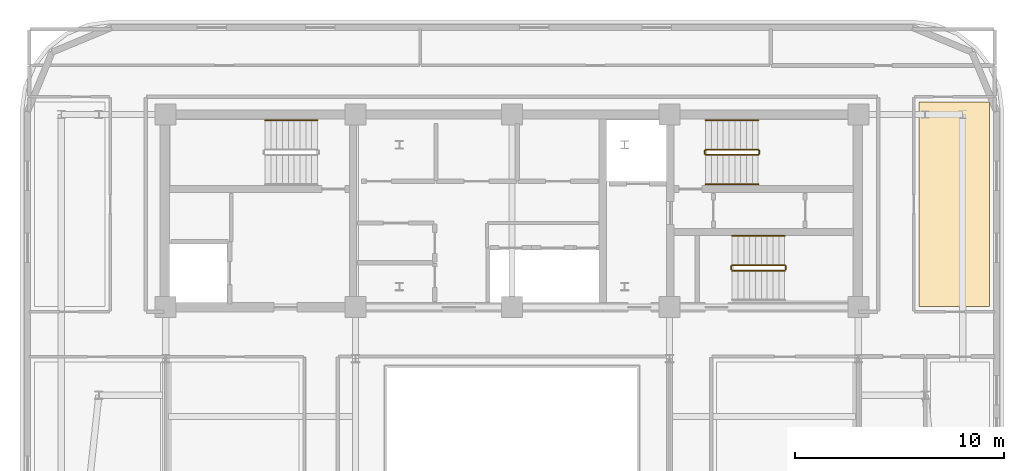
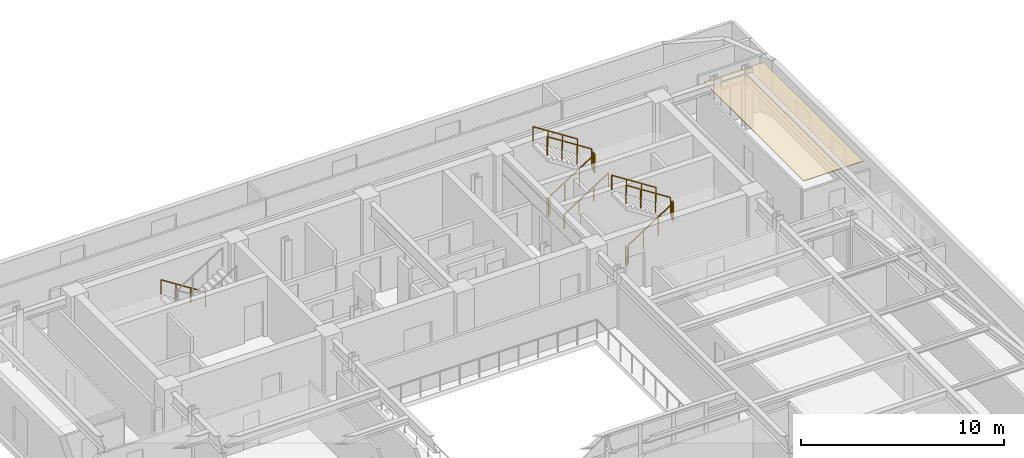
# One storey, part 13 of 13: 12 railings, 1 covering.
"""IFC4 building model written with IfcOpenShell, lengths in metres."""

from ifc_helpers import new_model, si_unit, direction, frame, origin, origin_2d, place, context, subcontext, project, spatial, polyline, rectangle, outline, extrude, material, layer, layer_set, type_object, element, save


model = new_model("IFC4")

# Units and contexts
model_context = context("Model", 3, precision=1e-05, world=origin(), true_north=direction((0.0, 1.0)))
body_context = subcontext(model_context, "Body", "Model", "MODEL_VIEW")
ifc_project = project(units=[si_unit("LENGTHUNIT", "METRE"), si_unit("AREAUNIT", "SQUARE_METRE"), si_unit("VOLUMEUNIT", "CUBIC_METRE"), si_unit("PLANEANGLEUNIT", "RADIAN"), si_unit("MASSUNIT", "GRAM", prefix="KILO")], contexts=[model_context])

# Site, building, storey
site_placement = place(None, origin())
site = spatial("IfcSite", under=ifc_project, at=site_placement, CompositionType="ELEMENT")
building_placement = place(site_placement, origin())
building = spatial("IfcBuilding", under=site, at=building_placement, Name="Zarnavel Station Tower", CompositionType="ELEMENT")
storey_placement = place(building_placement, frame((0.0, 0.0, 232.800048828125)))
storey = spatial("IfcBuildingStorey", under=building, at=storey_placement, Name="L63", CompositionType="ELEMENT", Elevation=232.800048828125)

# Covering
ifc_material_1 = material(Name="Perforated Gypsum and Mineral-Wool Acoustic Ceiling", Category="concrete")
ifc_layer = layer(ifc_material_1, 0.0400390625)
ifc_layer_set = layer_set([ifc_layer], Name="COV_CEIL_ACOUSTIC")
covering_type = type_object("IfcCoveringType", Name="COV_CEIL_ACOUSTIC", PredefinedType="CEILING", material=ifc_layer_set)
covering_placement = place(storey_placement, frame((0.0, 0.0, 3.02001953125)))
element("IfcCovering", 1, at=covering_placement, inside=storey, type_object=covering_type, Name="L63 FNE Acoustic Ceiling", PredefinedType="CEILING", context=body_context, shape_type="SweptSolid", body=[
    extrude(outline(polyline([(48.300048828125, 27.85009765625), (51.68994140625, 27.85009765625), (51.68994140625, 37.64990234375), (48.300048828125, 37.64990234375), (48.300048828125, 27.85009765625)])), origin(), (0.0, 0.0, 1.0), 0.0400390625),
])

# Railings
ifc_material_2 = material(Name="Painted Steel S355J2 Balustrade", Category="steel")
railing_type_1 = type_object("IfcRailingType", Name="GR_INT_1150", PredefinedType="GUARDRAIL", material=ifc_material_2)
railing_1_placement = place(storey_placement, frame((38.080078125, 35.110107421875, 0.179931640625)))
element("IfcRailing", 2, at=railing_1_placement, inside=storey, type_object=railing_type_1, Name="L63 ST2 stair guard 1", PredefinedType="GUARDRAIL", context=body_context, shape_type="SweptSolid", body=[
    extrude(rectangle(XDim=0.048095703125, YDim=0.048095703125, at=origin_2d()), frame((0.001708984375, 0.0, 1.126953125), z_axis=(0.841162588446, 0.0, 0.540782303519), x_axis=(0.0, 1.0, 0.0)), (0.0, 0.0, 1.0), 2.991943359375),
    extrude(rectangle(XDim=0.0419921875, YDim=0.0419921875, at=origin_2d()), origin(), (0.0, 0.0, 1.0), 1.101806640625),
    extrude(rectangle(XDim=0.0419921875, YDim=0.0419921875, at=origin_2d()), frame((0.840087890625, 0.0, 0.5400390625)), (0.0, 0.0, 1.0), 1.101806640625),
    extrude(rectangle(XDim=0.0419921875, YDim=0.0419921875, at=origin_2d()), frame((1.679931640625, 0.0, 1.080078125)), (0.0, 0.0, 1.0), 1.101806640625),
    extrude(rectangle(XDim=0.0419921875, YDim=0.0419921875, at=origin_2d()), frame((2.52001953125, 0.0, 1.6201171875)), (0.0, 0.0, 1.0), 1.101806640625),
])
railing_2_placement = place(storey_placement, frame((40.64990234375, 35.159912109375, 1.800048828125)))
element("IfcRailing", 3, at=railing_2_placement, inside=storey, type_object=railing_type_1, Name="L63 ST2 stair guard 2", PredefinedType="GUARDRAIL", context=body_context, shape_type="SweptSolid", body=[
    extrude(rectangle(XDim=0.048095703125, YDim=0.048095703125, at=origin_2d()), frame((0.0, 0.001953125, 1.1259765625), z_axis=(0.0, 1.0, 0.0), x_axis=(-1.0, 0.0, 0.0)), (0.0, 0.0, 1.0), 0.15625),
    extrude(rectangle(XDim=0.0419921875, YDim=0.0419921875, at=origin_2d()), origin(), (0.0, 0.0, 1.0), 1.101806640625),
    extrude(rectangle(XDim=0.0419921875, YDim=0.0419921875, at=origin_2d()), frame((0.0, 0.16015625, 0.0)), (0.0, 0.0, 1.0), 1.101806640625),
])
railing_3_placement = place(storey_placement, frame((40.60009765625, 35.3701171875, 1.97998046875)))
element("IfcRailing", 4, at=railing_3_placement, inside=storey, type_object=railing_type_1, Name="L63 ST2 stair guard 3", PredefinedType="GUARDRAIL", context=body_context, shape_type="SweptSolid", body=[
    extrude(rectangle(XDim=0.048095703125, YDim=0.048095703125, at=origin_2d()), frame((-0.001708984375, 0.0, 1.126953125), z_axis=(-0.841199657755, 0.0, 0.540724639528), x_axis=(0.0, -1.0, 0.0)), (0.0, 0.0, 1.0), 2.99169921875),
    extrude(rectangle(XDim=0.0419921875, YDim=0.0419921875, at=origin_2d()), origin(), (0.0, 0.0, 1.0), 1.101806640625),
    extrude(rectangle(XDim=0.0419921875, YDim=0.0419921875, at=origin_2d()), frame((-0.840087890625, 0.0, 0.5400390625)), (0.0, 0.0, 1.0), 1.101806640625),
    extrude(rectangle(XDim=0.0419921875, YDim=0.0419921875, at=origin_2d()), frame((-1.679931640625, 0.0, 1.079833984375)), (0.0, 0.0, 1.0), 1.101806640625),
    extrude(rectangle(XDim=0.0419921875, YDim=0.0419921875, at=origin_2d()), frame((-2.52001953125, 0.0, 1.619873046875)), (0.0, 0.0, 1.0), 1.101806640625),
])
railing_4_placement = place(storey_placement, frame((38.030029296875, 35.159912109375, 0.0)))
element("IfcRailing", 5, at=railing_4_placement, inside=storey, type_object=railing_type_1, Name="L63 ST2 stair guard 4", PredefinedType="GUARDRAIL", context=body_context, shape_type="SweptSolid", body=[
    extrude(rectangle(XDim=0.048095703125, YDim=0.048095703125, at=origin_2d()), frame((0.0, 0.001953125, 1.1259765625), z_axis=(0.0, 1.0, 0.0), x_axis=(-1.0, 0.0, 0.0)), (0.0, 0.0, 1.0), 0.15625),
    extrude(rectangle(XDim=0.0419921875, YDim=0.0419921875, at=origin_2d()), origin(), (0.0, 0.0, 1.0), 1.101806640625),
    extrude(rectangle(XDim=0.0419921875, YDim=0.0419921875, at=origin_2d()), frame((0.0, 0.16015625, 0.0)), (0.0, 0.0, 1.0), 1.101806640625),
])
railing_5_placement = place(storey_placement, frame((39.35009765625, 29.570068359375, 0.179931640625)))
element("IfcRailing", 6, at=railing_5_placement, inside=storey, type_object=railing_type_1, Name="L63 ST3 stair guard 1", PredefinedType="GUARDRAIL", context=body_context, shape_type="SweptSolid", body=[
    extrude(rectangle(XDim=0.048095703125, YDim=0.048095703125, at=origin_2d()), frame((0.001708984375, 0.0, 1.126953125), z_axis=(0.841162588446, 0.0, 0.540782303519), x_axis=(0.0, 1.0, 0.0)), (0.0, 0.0, 1.0), 2.991943359375),
    extrude(rectangle(XDim=0.0419921875, YDim=0.0419921875, at=origin_2d()), origin(), (0.0, 0.0, 1.0), 1.101806640625),
    extrude(rectangle(XDim=0.0419921875, YDim=0.0419921875, at=origin_2d()), frame((0.840087890625, 0.0, 0.5400390625)), (0.0, 0.0, 1.0), 1.101806640625),
    extrude(rectangle(XDim=0.0419921875, YDim=0.0419921875, at=origin_2d()), frame((1.679931640625, 0.0, 1.080078125)), (0.0, 0.0, 1.0), 1.101806640625),
    extrude(rectangle(XDim=0.0419921875, YDim=0.0419921875, at=origin_2d()), frame((2.52001953125, 0.0, 1.6201171875)), (0.0, 0.0, 1.0), 1.101806640625),
])
railing_6_placement = place(storey_placement, frame((41.919921875, 29.6201171875, 1.800048828125)))
element("IfcRailing", 7, at=railing_6_placement, inside=storey, type_object=railing_type_1, Name="L63 ST3 stair guard 2", PredefinedType="GUARDRAIL", context=body_context, shape_type="SweptSolid", body=[
    extrude(rectangle(XDim=0.048095703125, YDim=0.048095703125, at=origin_2d()), frame((0.0, 0.001953125, 1.1259765625), z_axis=(0.0, 1.0, 0.0), x_axis=(-1.0, 0.0, 0.0)), (0.0, 0.0, 1.0), 0.156005859375),
    extrude(rectangle(XDim=0.0419921875, YDim=0.0419921875, at=origin_2d()), origin(), (0.0, 0.0, 1.0), 1.101806640625),
    extrude(rectangle(XDim=0.0419921875, YDim=0.0419921875, at=origin_2d()), frame((0.0, 0.159912109375, 0.0)), (0.0, 0.0, 1.0), 1.101806640625),
])
railing_7_placement = place(storey_placement, frame((41.8701171875, 29.830078125, 1.97998046875)))
element("IfcRailing", 8, at=railing_7_placement, inside=storey, type_object=railing_type_1, Name="L63 ST3 stair guard 3", PredefinedType="GUARDRAIL", context=body_context, shape_type="SweptSolid", body=[
    extrude(rectangle(XDim=0.048095703125, YDim=0.048095703125, at=origin_2d()), frame((-0.001708984375, 0.0, 1.126953125), z_axis=(-0.841199657755, 0.0, 0.540724639528), x_axis=(0.0, -1.0, 0.0)), (0.0, 0.0, 1.0), 2.99169921875),
    extrude(rectangle(XDim=0.0419921875, YDim=0.0419921875, at=origin_2d()), origin(), (0.0, 0.0, 1.0), 1.101806640625),
    extrude(rectangle(XDim=0.0419921875, YDim=0.0419921875, at=origin_2d()), frame((-0.840087890625, 0.0, 0.5400390625)), (0.0, 0.0, 1.0), 1.101806640625),
    extrude(rectangle(XDim=0.0419921875, YDim=0.0419921875, at=origin_2d()), frame((-1.679931640625, 0.0, 1.079833984375)), (0.0, 0.0, 1.0), 1.101806640625),
    extrude(rectangle(XDim=0.0419921875, YDim=0.0419921875, at=origin_2d()), frame((-2.52001953125, 0.0, 1.619873046875)), (0.0, 0.0, 1.0), 1.101806640625),
])
railing_8_placement = place(storey_placement, frame((39.300048828125, 29.6201171875, 0.0)))
element("IfcRailing", 9, at=railing_8_placement, inside=storey, type_object=railing_type_1, Name="L63 ST3 stair guard 4", PredefinedType="GUARDRAIL", context=body_context, shape_type="SweptSolid", body=[
    extrude(rectangle(XDim=0.048095703125, YDim=0.048095703125, at=origin_2d()), frame((0.0, 0.001953125, 1.1259765625), z_axis=(0.0, 1.0, 0.0), x_axis=(-1.0, 0.0, 0.0)), (0.0, 0.0, 1.0), 0.156005859375),
    extrude(rectangle(XDim=0.0419921875, YDim=0.0419921875, at=origin_2d()), origin(), (0.0, 0.0, 1.0), 1.101806640625),
    extrude(rectangle(XDim=0.0419921875, YDim=0.0419921875, at=origin_2d()), frame((0.0, 0.159912109375, 0.0)), (0.0, 0.0, 1.0), 1.101806640625),
])
ifc_material_3 = material(Name="Brushed Stainless Steel S355J2 Handrail", Category="steel")
railing_type_2 = type_object("IfcRailingType", Name="HR_STAIR_900", PredefinedType="HANDRAIL", material=ifc_material_3)
railing_9_placement = place(storey_placement, frame((19.47998046875, 36.77001953125, 0.179931640625)))
element("IfcRailing", 10, at=railing_9_placement, inside=storey, type_object=railing_type_2, Name="L63 ST1 stair handrail 1", PredefinedType="HANDRAIL", context=body_context, shape_type="SweptSolid", body=[
    extrude(rectangle(XDim=0.048095703125, YDim=0.048095703125, at=origin_2d()), frame((-0.001708984375, 0.0, 0.876953125), z_axis=(-0.841162588446, 0.0, 0.540782303519), x_axis=(0.0, -1.0, 0.0)), (0.0, 0.0, 1.0), 2.991943359375),
    extrude(rectangle(XDim=0.0419921875, YDim=0.0419921875, at=origin_2d()), origin(), (0.0, 0.0, 1.0), 0.851806640625),
    extrude(rectangle(XDim=0.0419921875, YDim=0.0419921875, at=origin_2d()), frame((-0.840087890625, 0.0, 0.5400390625)), (0.0, 0.0, 1.0), 0.851806640625),
    extrude(rectangle(XDim=0.0419921875, YDim=0.0419921875, at=origin_2d()), frame((-1.679931640625, 0.0, 1.080078125)), (0.0, 0.0, 1.0), 0.851806640625),
    extrude(rectangle(XDim=0.0419921875, YDim=0.0419921875, at=origin_2d()), frame((-2.52001953125, 0.0, 1.6201171875)), (0.0, 0.0, 1.0), 0.851806640625),
])
railing_10_placement = place(storey_placement, frame((38.080078125, 33.7099609375, 0.179931640625)))
element("IfcRailing", 11, at=railing_10_placement, inside=storey, type_object=railing_type_2, Name="L63 ST2 stair handrail 1", PredefinedType="HANDRAIL", context=body_context, shape_type="SweptSolid", body=[
    extrude(rectangle(XDim=0.048095703125, YDim=0.048095703125, at=origin_2d()), frame((0.001708984375, 0.0, 0.876953125), z_axis=(0.841162588446, 0.0, 0.540782303519), x_axis=(0.0, 1.0, 0.0)), (0.0, 0.0, 1.0), 2.991943359375),
    extrude(rectangle(XDim=0.0419921875, YDim=0.0419921875, at=origin_2d()), origin(), (0.0, 0.0, 1.0), 0.851806640625),
    extrude(rectangle(XDim=0.0419921875, YDim=0.0419921875, at=origin_2d()), frame((0.840087890625, 0.0, 0.5400390625)), (0.0, 0.0, 1.0), 0.851806640625),
    extrude(rectangle(XDim=0.0419921875, YDim=0.0419921875, at=origin_2d()), frame((1.679931640625, 0.0, 1.080078125)), (0.0, 0.0, 1.0), 0.851806640625),
    extrude(rectangle(XDim=0.0419921875, YDim=0.0419921875, at=origin_2d()), frame((2.52001953125, 0.0, 1.6201171875)), (0.0, 0.0, 1.0), 0.851806640625),
])
for number, where, name in (
    (12, (40.60009765625, 36.77001953125, 1.97998046875), "L63 ST2 stair handrail 2"),
    (13, (41.8701171875, 31.22998046875, 1.97998046875), "L63 ST3 stair handrail 2"),
):
    element("IfcRailing", number, at=place(storey_placement, frame(where)), inside=storey, type_object=railing_type_2, Name=name, PredefinedType="HANDRAIL", context=body_context, shape_type="SweptSolid", body=[
        extrude(rectangle(XDim=0.048095703125, YDim=0.048095703125, at=origin_2d()), frame((-0.001708984375, 0.0, 0.876953125), z_axis=(-0.841199657755, 0.0, 0.540724639528), x_axis=(0.0, -1.0, 0.0)), (0.0, 0.0, 1.0), 2.99169921875),
        extrude(rectangle(XDim=0.0419921875, YDim=0.0419921875, at=origin_2d()), origin(), (0.0, 0.0, 1.0), 0.851806640625),
        extrude(rectangle(XDim=0.0419921875, YDim=0.0419921875, at=origin_2d()), frame((-0.840087890625, 0.0, 0.5400390625)), (0.0, 0.0, 1.0), 0.851806640625),
        extrude(rectangle(XDim=0.0419921875, YDim=0.0419921875, at=origin_2d()), frame((-1.679931640625, 0.0, 1.079833984375)), (0.0, 0.0, 1.0), 0.851806640625),
        extrude(rectangle(XDim=0.0419921875, YDim=0.0419921875, at=origin_2d()), frame((-2.52001953125, 0.0, 1.619873046875)), (0.0, 0.0, 1.0), 0.851806640625),
    ])

save(model, "model.ifc")
